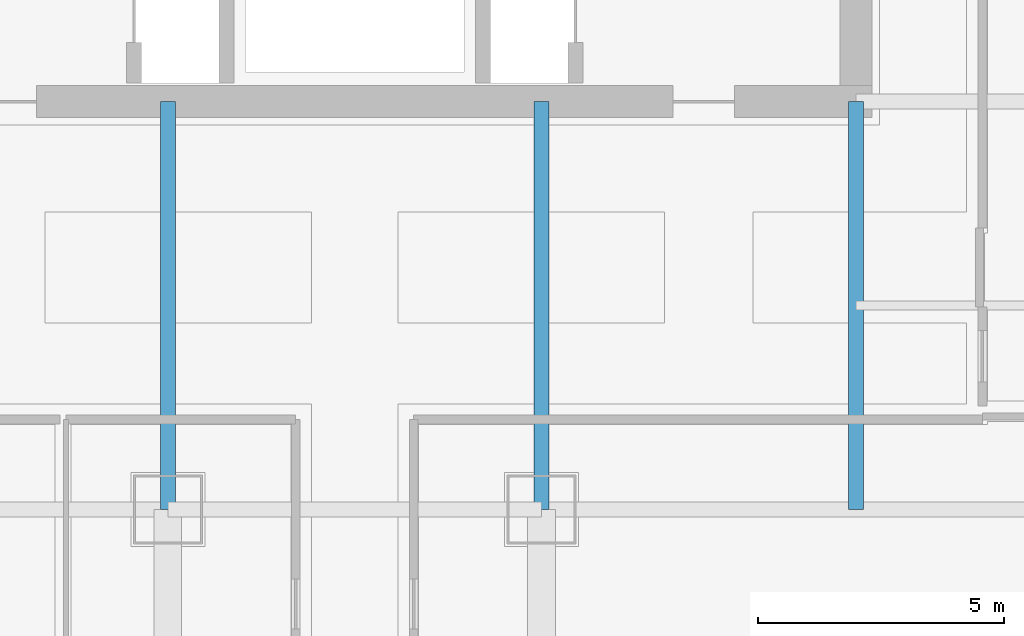
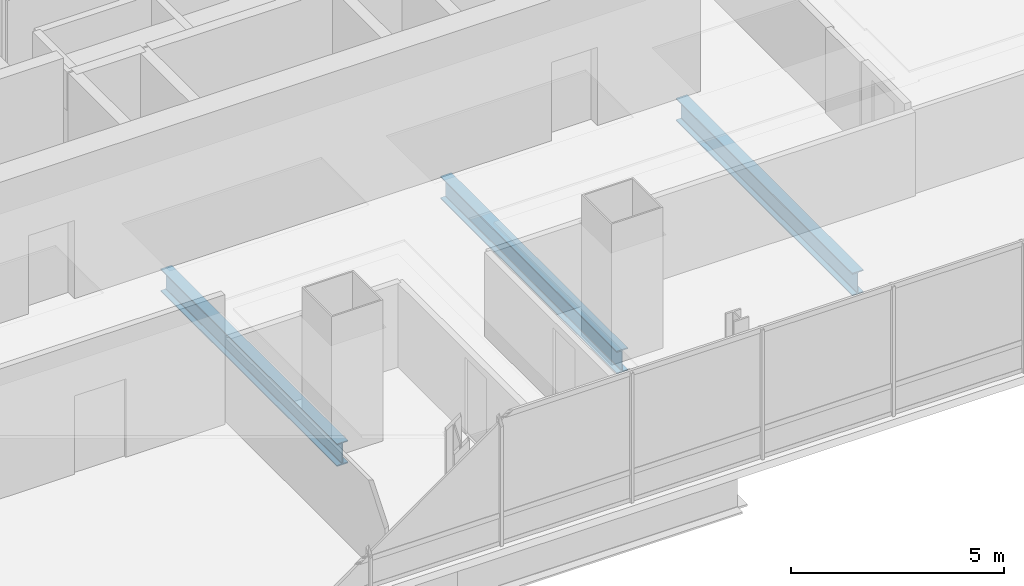
# One storey, part 8 of 35: 3 beams.
"""IFC4 building model written with IfcOpenShell, lengths in metres."""

from ifc_helpers import new_model, si_unit, direction, frame, origin, origin_2d, place, context, subcontext, project, spatial, i_section, extrude, material, material_profile, profile_set, type_object, element, save


model = new_model("IFC4")

# Units and contexts
model_context = context("Model", 3, precision=1e-05, world=origin(), true_north=direction((0.0, 1.0)))
body_context = subcontext(model_context, "Body", "Model", "MODEL_VIEW")
ifc_project = project(units=[si_unit("LENGTHUNIT", "METRE"), si_unit("AREAUNIT", "SQUARE_METRE"), si_unit("VOLUMEUNIT", "CUBIC_METRE"), si_unit("PLANEANGLEUNIT", "RADIAN"), si_unit("MASSUNIT", "GRAM", prefix="KILO")], contexts=[model_context])

# Site, building, storey
site_placement = place(None, origin())
site = spatial("IfcSite", under=ifc_project, at=site_placement, CompositionType="ELEMENT")
building_placement = place(site_placement, origin())
building = spatial("IfcBuilding", under=site, at=building_placement, Name="Punatoya Terracotta Tower", CompositionType="ELEMENT")
storey_placement = place(building_placement, frame((0.0, 0.0, 232.949951171875)))
storey = spatial("IfcBuildingStorey", under=building, at=storey_placement, Name="L55", CompositionType="ELEMENT", Elevation=232.949951171875)

# Beams
ifc_material = material(Name="Steel S355", Category="steel")
ifc_material_profile = material_profile(ifc_material, i_section(OverallWidth=0.300048828125, OverallDepth=0.64990234375, WebThickness=0.01611328125, FlangeThickness=0.031005859375, FilletRadius=0.01806640625, at=origin_2d()))
ifc_profile_set = profile_set([ifc_material_profile], Name="Steel S355")
beam_type = type_object("IfcBeamType", Name="BM-PRI-650", PredefinedType="BEAM", material=ifc_profile_set)
for number, where, z_axis, x_axis, name in (
    (1, (-3.800048828125, -17.5, -0.544921875), (0.0, 1.0, 0.0), (-1.0, 0.0, 0.0), "BM-L55-PR-S2"),
    (2, (3.800048828125, -17.5, -0.544921875), (0.0, 1.0, 0.0), (-1.0, 0.0, 0.0), "BM-L55-PR-S3"),
    (3, (10.199951171875, -17.5, -0.544921875), (0.0, 1.0, 0.0), (-1.0, 0.0, 0.0), "BM-L55-PR-S4"),
):
    element("IfcBeam", number, at=place(storey_placement, frame(where, z_axis=z_axis, x_axis=x_axis)), inside=storey, type_object=beam_type, Name=name, PredefinedType="BEAM", context=body_context, shape_type="SweptSolid", body=[
        extrude(i_section(OverallWidth=0.300048828125, OverallDepth=0.64990234375, WebThickness=0.01611328125, FlangeThickness=0.031005859375, FilletRadius=0.01806640625, at=origin_2d()), origin(), (0.0, 0.0, 1.0), 8.300048828125),
    ])

save(model, "model.ifc")
